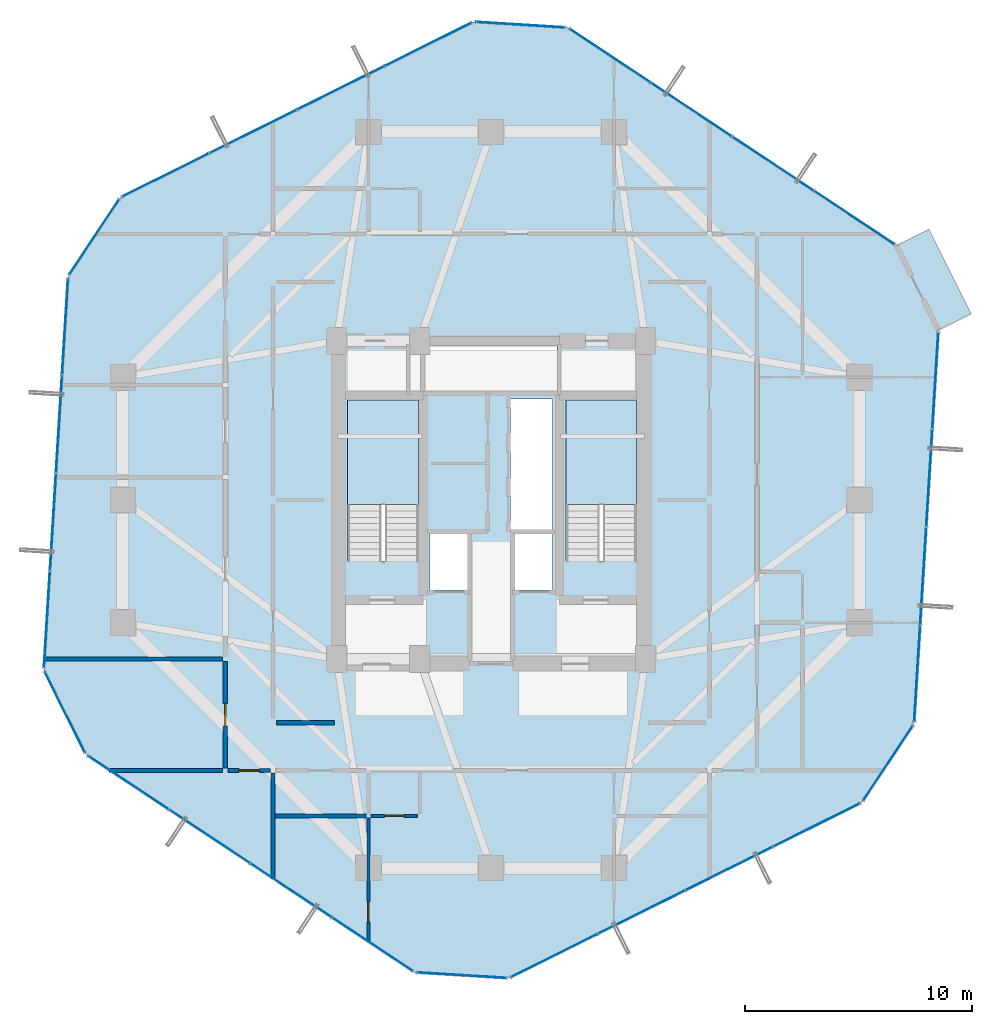
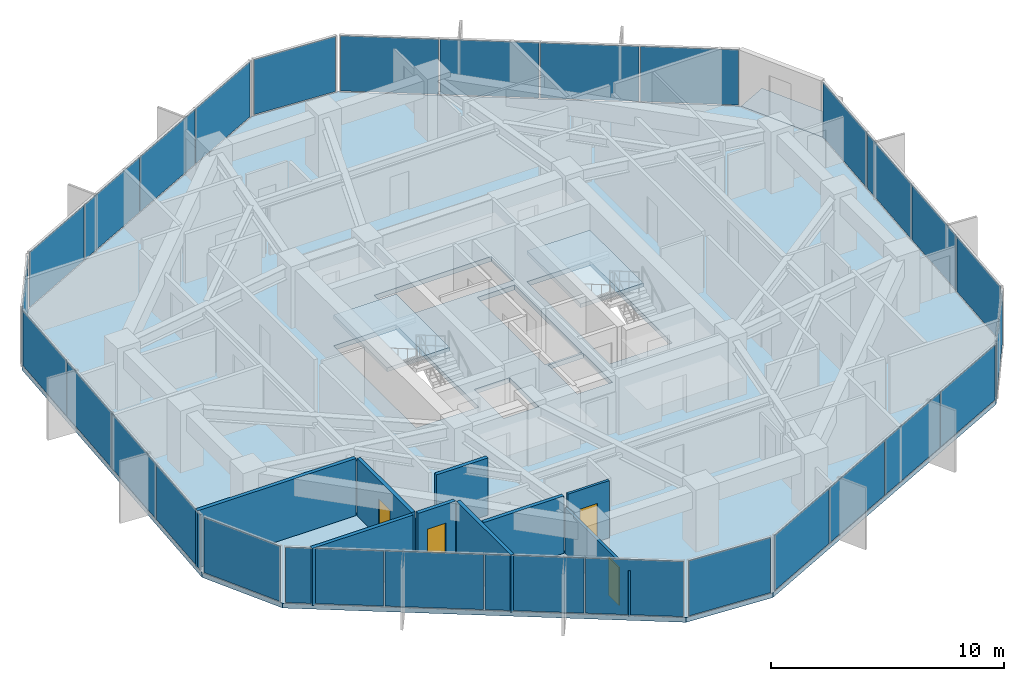
# One storey, part 25 of 30: 29 plates, 9 walls, 4 doors, 4 slabs, 4 openings, 13 elements without a shape of their own.
"""IFC4 building model written with IfcOpenShell, lengths in metres."""

from ifc_helpers import new_model, si_unit, direction, frame, frame_2d, origin, origin_2d, place, context, subcontext, project, spatial, polyline, rectangle, outline, extrude, source, transform, mapped, material, layer, layer_set, type_object, element, fill, aggregate, save


model = new_model("IFC4")

# Units and contexts
model_context = context("Model", 3, precision=1e-05, world=origin(), true_north=direction((0.0, 1.0)))
body_context = subcontext(model_context, "Body", "Model", "MODEL_VIEW")
ifc_project = project(units=[si_unit("LENGTHUNIT", "METRE"), si_unit("AREAUNIT", "SQUARE_METRE"), si_unit("VOLUMEUNIT", "CUBIC_METRE"), si_unit("PLANEANGLEUNIT", "RADIAN"), si_unit("MASSUNIT", "GRAM", prefix="KILO")], contexts=[model_context])

# Site, building, storey
site_placement = place(None, origin())
site = spatial("IfcSite", under=ifc_project, at=site_placement, CompositionType="ELEMENT")
building_placement = place(site_placement, origin())
building = spatial("IfcBuilding", under=site, at=building_placement, Name="Veraguas Prism Commons", CompositionType="ELEMENT")
storey_placement = place(building_placement, frame((0.0, 0.0, 116.5)))
storey = spatial("IfcBuildingStorey", under=building, at=storey_placement, Name="L32", CompositionType="ELEMENT", Elevation=116.5)

# Stair, slab
ifc_material_1 = material(Name="Precast concrete C45/55", Category="concrete")
stair_type = type_object("IfcStairType", Name="Dogleg Core Stair 1480W 20R 05", PredefinedType="HALF_TURN_STAIR", material=ifc_material_1)
stair_1_placement = place(storey_placement, origin())
stair_1 = element("IfcStair", 1, at=stair_1_placement, inside=storey, type_object=stair_type, Name="Protected Exit Stair ST-01 L32", PredefinedType="HALF_TURN_STAIR")
ifc_layer_1 = layer(ifc_material_1, 0.199951171875, Name="Precast Stair and Ramp Landing Slab 200", Category="concrete")
ifc_layer_set_1 = layer_set([ifc_layer_1], Name="Precast concrete C45/55")
slab_type_1 = type_object("IfcSlabType", Name="Precast Stair and Ramp Landing Slab 200", PredefinedType="LANDING", material=ifc_layer_set_1)
slab_1_placement = place(storey_placement, frame((0.0, 0.0, 1.425048828125)))
slab_1 = element("IfcSlab", 2, at=slab_1_placement, type_object=slab_type_1, Name="ST-05 Landing 1", PredefinedType="LANDING", context=body_context, shape_type="SweptSolid", body=[
    extrude(outline(polyline([(20.800048828125, 23.800048828125), (20.800048828125, 28.39990234375), (17.68994140625, 28.39990234375), (17.68994140625, 23.800048828125), (20.800048828125, 23.800048828125)])), origin(), (0.0, 0.0, 1.0), 0.199951171875),
])
aggregate(stair_1, [slab_1])

stair_2_placement = place(storey_placement, origin())
stair_2 = element("IfcStair", 3, at=stair_2_placement, inside=storey, type_object=stair_type, Name="Protected Exit Stair ST-02 L32", PredefinedType="HALF_TURN_STAIR")
slab_2_placement = place(storey_placement, frame((0.0, 0.0, 1.425048828125)))
slab_2 = element("IfcSlab", 4, at=slab_2_placement, type_object=slab_type_1, Name="ST-05 Landing 1", PredefinedType="LANDING", context=body_context, shape_type="SweptSolid", body=[
    extrude(outline(polyline([(30.39990234375, 23.800048828125), (30.39990234375, 28.39990234375), (27.2900390625, 28.39990234375), (27.2900390625, 23.800048828125), (30.39990234375, 23.800048828125)])), origin(), (0.0, 0.0, 1.0), 0.199951171875),
])
aggregate(stair_2, [slab_2])

# Slabs
ifc_material_2 = material(Name="Concrete C45/55", Category="concrete")
ifc_layer_2 = layer(ifc_material_2, 0.219970703125, Name="Recessed Loggia and Terrace Slab RC 220", Category="concrete")
ifc_layer_set_2 = layer_set([ifc_layer_2], Name="Concrete C45/55")
slab_type_2 = type_object("IfcSlabType", Name="Recessed Loggia and Terrace Slab RC 220", PredefinedType="FLOOR", material=ifc_layer_set_2)
slab_3_placement = place(storey_placement, frame((0.0, 0.0, -0.219970703125)))
element("IfcSlab", 5, at=slab_3_placement, inside=storey, type_object=slab_type_2, Name="Recessed Corner Loggia L32-C1", PredefinedType="FLOOR", context=body_context, shape_type="SweptSolid", body=[
    extrude(outline(polyline([(43.663818359375, 31.46728515625), (45.114013671875, 32.189208984375), (43.263427734375, 35.9072265625), (41.813232421875, 35.185302734375), (43.663818359375, 31.46728515625)])), origin(), (0.0, 0.0, 1.0), 0.219970703125),
])
ifc_layer_3 = layer(ifc_material_2, 0.25, Name="Tower Lower Residential Floor Slab RC 250", Category="concrete")
ifc_layer_set_3 = layer_set([ifc_layer_3], Name="Concrete C45/55")
slab_type_3 = type_object("IfcSlabType", Name="Tower Lower Residential Floor Slab RC 250", PredefinedType="FLOOR", material=ifc_layer_set_3)
slab_4_placement = place(storey_placement, frame((0.0, 0.0, -0.25)))
element("IfcSlab", 6, at=slab_4_placement, inside=storey, type_object=slab_type_3, Name="Tower Floor Slab L32", PredefinedType="FLOOR", context=body_context, shape_type="SweptSolid", body=[
    extrude(outline(polyline([(43.681640625, 31.476318359375), (41.8310546875, 35.1943359375), (27.3662109375, 44.782958984375), (23.220947265625, 45.039306640625), (7.6845703125, 37.306640625), (5.389892578125, 33.84521484375), (4.318359375, 16.523681640625), (6.1689453125, 12.8056640625), (20.6337890625, 3.217041015625), (24.779052734375, 2.960693359375), (40.3154296875, 10.693359375), (42.610107421875, 14.15478515625), (43.681640625, 31.476318359375)]), holes=[polyline([(20.800048828125, 21.31005859375), (20.800048828125, 28.39990234375), (17.68994140625, 28.39990234375), (17.68994140625, 21.31005859375), (20.800048828125, 21.31005859375)]), polyline([(30.39990234375, 21.31005859375), (30.39990234375, 28.39990234375), (27.2900390625, 28.39990234375), (27.2900390625, 21.31005859375), (30.39990234375, 21.31005859375)]), polyline([(24.85009765625, 22.64990234375), (26.699951171875, 22.64990234375), (26.699951171875, 28.449951171875), (24.85009765625, 28.449951171875), (24.85009765625, 22.64990234375)]), polyline([(21.10009765625, 28.800048828125), (26.89990234375, 28.800048828125), (26.89990234375, 30.800048828125), (21.10009765625, 30.800048828125), (21.10009765625, 28.800048828125)]), polyline([(21.300048828125, 20.050048828125), (23.050048828125, 20.050048828125), (23.050048828125, 22.550048828125), (21.300048828125, 22.550048828125), (21.300048828125, 20.050048828125)]), polyline([(24.949951171875, 20.050048828125), (26.699951171875, 20.050048828125), (26.699951171875, 22.550048828125), (24.949951171875, 22.550048828125), (24.949951171875, 20.050048828125)])]), origin(), (0.0, 0.0, 1.0), 0.25),
])

# Curtain wall, plates
ifc_material_3 = material(Name="Anodised aluminium EN AW-6063 T6", Category="aluminium")
ifc_layer_4 = layer(ifc_material_3, 0.169921875, Name="Unitised Flush Curtain Wall Zone 2", Category="aluminium")
ifc_layer_set_4 = layer_set([ifc_layer_4], Name="Anodised aluminium EN AW-6063 T6")
curtain_wall_type = type_object("IfcCurtainWallType", Name="Unitised Flush Curtain Wall Zone 2", PredefinedType="NOTDEFINED", material=ifc_layer_set_4)
curtain_wall_1_placement = place(storey_placement, origin())
curtain_wall_1 = element("IfcCurtainWall", 7, at=curtain_wall_1_placement, inside=storey, type_object=curtain_wall_type, Name="Tower Facade Curtain Wall L32-F1", PredefinedType="NOTDEFINED")
ifc_material_4 = material(Name="Laminated low-e glass", Category="glass")
ifc_layer_5 = layer(ifc_material_4, 0.028076171875, Name="Unitised Double Low-E Glazed Panel 28", Category="glass")
ifc_layer_set_5 = layer_set([ifc_layer_5], Name="Laminated low-e glass")
plate_type = type_object("IfcPlateType", Name="Unitised Double Low-E Glazed Panel 28", PredefinedType="CURTAIN_PANEL", material=ifc_layer_set_5)
shared_shape_1 = source(origin(), body_context, "Body", "SweptSolid", [
    extrude(rectangle(XDim=4.218505859375, YDim=0.028076171875, at=origin_2d()), origin(), (0.0, 0.0, 1.0), 2.889892578125),
])
plate_1_placement = place(storey_placement, frame((39.972900390625, 36.426025390625, 0.05517578125), z_axis=(0.0, 0.0, 1.0), x_axis=(-0.833504151469, 0.552513193945, 0.0)))
plate_1 = element("IfcPlate", 8, at=plate_1_placement, type_object=plate_type, Name="CW-Z2 Panel 1.1", PredefinedType="CURTAIN_PANEL", context=body_context, shape_type="MappedRepresentation", body=[
    mapped(shared_shape_1, transform((0.0, 0.0, 0.0), scale=1.0)),
])
plate_2_placement = place(storey_placement, frame((29.224365234375, 43.551025390625, 0.05517578125), z_axis=(0.0, 0.0, 1.0), x_axis=(-0.833504151469, 0.552513193945, 0.0)))
plate_2 = element("IfcPlate", 9, at=plate_2_placement, type_object=plate_type, Name="CW-Z2 Panel 4.1", PredefinedType="CURTAIN_PANEL", context=body_context, shape_type="MappedRepresentation", body=[
    mapped(shared_shape_1, transform((0.0, 0.0, 0.0), scale=1.0)),
])

curtain_wall_2_placement = place(storey_placement, origin())
curtain_wall_2 = element("IfcCurtainWall", 10, at=curtain_wall_2_placement, inside=storey, type_object=curtain_wall_type, Name="Tower Facade Curtain Wall L32-F2", PredefinedType="NOTDEFINED")
plate_3_placement = place(storey_placement, frame((21.225341796875, 44.0458984375, 0.05517578125), z_axis=(0.0, 0.0, 1.0), x_axis=(-0.895244870652, -0.445574484875, 0.0)))
plate_3 = element("IfcPlate", 11, at=plate_3_placement, type_object=plate_type, Name="CW-Z2 Panel 1.1", PredefinedType="CURTAIN_PANEL", context=body_context, shape_type="MappedRepresentation", body=[
    mapped(shared_shape_1, transform((0.0, 0.0, 0.0), scale=1.0)),
])
plate_4_placement = place(storey_placement, frame((9.680419921875, 38.300048828125, 0.05517578125), z_axis=(0.0, 0.0, 1.0), x_axis=(-0.895244870652, -0.445574484875, 0.0)))
plate_4 = element("IfcPlate", 12, at=plate_4_placement, type_object=plate_type, Name="CW-Z2 Panel 4.1", PredefinedType="CURTAIN_PANEL", context=body_context, shape_type="MappedRepresentation", body=[
    mapped(shared_shape_1, transform((0.0, 0.0, 0.0), scale=1.0)),
])

curtain_wall_3_placement = place(storey_placement, origin())
curtain_wall_3 = element("IfcCurtainWall", 13, at=curtain_wall_3_placement, inside=storey, type_object=curtain_wall_type, Name="Tower Facade Curtain Wall L32-F3", PredefinedType="NOTDEFINED")
plate_5_placement = place(storey_placement, frame((5.252197265625, 31.6201171875, 0.05517578125), z_axis=(0.0, 0.0, 1.0), x_axis=(-0.061743612146, -0.99809204303, 0.0)))
plate_5 = element("IfcPlate", 14, at=plate_5_placement, type_object=plate_type, Name="CW-Z2 Panel 1.1", PredefinedType="CURTAIN_PANEL", context=body_context, shape_type="MappedRepresentation", body=[
    mapped(shared_shape_1, transform((0.0, 0.0, 0.0), scale=1.0)),
])
plate_6_placement = place(storey_placement, frame((4.4560546875, 18.748779296875, 0.05517578125), z_axis=(0.0, 0.0, 1.0), x_axis=(-0.061743612146, -0.99809204303, 0.0)))
plate_6 = element("IfcPlate", 15, at=plate_6_placement, type_object=plate_type, Name="CW-Z2 Panel 4.1", PredefinedType="CURTAIN_PANEL", context=body_context, shape_type="MappedRepresentation", body=[
    mapped(shared_shape_1, transform((0.0, 0.0, 0.0), scale=1.0)),
])

curtain_wall_4_placement = place(storey_placement, origin())
curtain_wall_4 = element("IfcCurtainWall", 16, at=curtain_wall_4_placement, inside=storey, type_object=curtain_wall_type, Name="Tower Facade Curtain Wall L32-F4", PredefinedType="NOTDEFINED")
plate_7_placement = place(storey_placement, frame((8.027099609375, 11.573974609375, 0.05517578125), z_axis=(0.0, 0.0, 1.0), x_axis=(0.833504151469, -0.552513193945, 0.0)))
plate_7 = element("IfcPlate", 17, at=plate_7_placement, type_object=plate_type, Name="CW-Z2 Panel 1.1", PredefinedType="CURTAIN_PANEL", context=body_context, shape_type="MappedRepresentation", body=[
    mapped(shared_shape_1, transform((0.0, 0.0, 0.0), scale=1.0)),
])
plate_8_placement = place(storey_placement, frame((18.775634765625, 4.448974609375, 0.05517578125), z_axis=(0.0, 0.0, 1.0), x_axis=(0.833504151469, -0.552513193945, 0.0)))
plate_8 = element("IfcPlate", 18, at=plate_8_placement, type_object=plate_type, Name="CW-Z2 Panel 4.1", PredefinedType="CURTAIN_PANEL", context=body_context, shape_type="MappedRepresentation", body=[
    mapped(shared_shape_1, transform((0.0, 0.0, 0.0), scale=1.0)),
])

curtain_wall_5_placement = place(storey_placement, origin())
curtain_wall_5 = element("IfcCurtainWall", 19, at=curtain_wall_5_placement, inside=storey, type_object=curtain_wall_type, Name="Tower Facade Curtain Wall L32-F5", PredefinedType="NOTDEFINED")
plate_9_placement = place(storey_placement, frame((26.774658203125, 3.9541015625, 0.05517578125), z_axis=(0.0, 0.0, 1.0), x_axis=(0.895244870652, 0.445574484875, 0.0)))
plate_9 = element("IfcPlate", 20, at=plate_9_placement, type_object=plate_type, Name="CW-Z2 Panel 1.1", PredefinedType="CURTAIN_PANEL", context=body_context, shape_type="MappedRepresentation", body=[
    mapped(shared_shape_1, transform((0.0, 0.0, 0.0), scale=1.0)),
])
plate_10_placement = place(storey_placement, frame((38.319580078125, 9.699951171875, 0.05517578125), z_axis=(0.0, 0.0, 1.0), x_axis=(0.895244870652, 0.445574484875, 0.0)))
plate_10 = element("IfcPlate", 21, at=plate_10_placement, type_object=plate_type, Name="CW-Z2 Panel 4.1", PredefinedType="CURTAIN_PANEL", context=body_context, shape_type="MappedRepresentation", body=[
    mapped(shared_shape_1, transform((0.0, 0.0, 0.0), scale=1.0)),
])

curtain_wall_6_placement = place(storey_placement, origin())
curtain_wall_6 = element("IfcCurtainWall", 22, at=curtain_wall_6_placement, inside=storey, type_object=curtain_wall_type, Name="Tower Facade Curtain Wall L32-F6", PredefinedType="NOTDEFINED")
plate_11_placement = place(storey_placement, frame((42.747802734375, 16.3798828125, 0.05517578125), z_axis=(0.0, 0.0, 1.0), x_axis=(0.061743612146, 0.99809204303, 0.0)))
plate_11 = element("IfcPlate", 23, at=plate_11_placement, type_object=plate_type, Name="CW-Z2 Panel 1.1", PredefinedType="CURTAIN_PANEL", context=body_context, shape_type="MappedRepresentation", body=[
    mapped(shared_shape_1, transform((0.0, 0.0, 0.0), scale=1.0)),
])
plate_12_placement = place(storey_placement, frame((43.5439453125, 29.251220703125, 0.05517578125), z_axis=(0.0, 0.0, 1.0), x_axis=(0.061743612146, 0.99809204303, 0.0)))
plate_12 = element("IfcPlate", 24, at=plate_12_placement, type_object=plate_type, Name="CW-Z2 Panel 4.1", PredefinedType="CURTAIN_PANEL", context=body_context, shape_type="MappedRepresentation", body=[
    mapped(shared_shape_1, transform((0.0, 0.0, 0.0), scale=1.0)),
])

# Plate
shared_shape_2 = source(origin(), body_context, "Body", "SweptSolid", [
    extrude(rectangle(XDim=4.24853515625, YDim=0.028076171875, at=origin_2d()), origin(), (0.0, 0.0, 1.0), 2.889892578125),
])
plate_13_placement = place(storey_placement, frame((36.394287109375, 38.79833984375, 0.05517578125), z_axis=(0.0, 0.0, 1.0), x_axis=(-0.833504151469, 0.552513193945, 0.0)))
plate_13 = element("IfcPlate", 25, at=plate_13_placement, type_object=plate_type, Name="CW-Z2 Panel 2.1", PredefinedType="CURTAIN_PANEL", context=body_context, shape_type="MappedRepresentation", body=[
    mapped(shared_shape_2, transform((0.0, 0.0, 0.0), scale=1.0)),
])

plate_14_placement = place(storey_placement, frame((32.802978515625, 41.178955078125, 0.05517578125), z_axis=(0.0, 0.0, 1.0), x_axis=(-0.833504151469, 0.552513193945, 0.0)))
plate_14 = element("IfcPlate", 26, at=plate_14_placement, type_object=plate_type, Name="CW-Z2 Panel 3.1", PredefinedType="CURTAIN_PANEL", context=body_context, shape_type="MappedRepresentation", body=[
    mapped(shared_shape_2, transform((0.0, 0.0, 0.0), scale=1.0)),
])

aggregate(curtain_wall_1, [plate_1, plate_13, plate_14, plate_2])

plate_15_placement = place(storey_placement, frame((17.38134765625, 42.1328125, 0.05517578125), z_axis=(0.0, 0.0, 1.0), x_axis=(-0.895244870652, -0.445574484875, 0.0)))
plate_15 = element("IfcPlate", 27, at=plate_15_placement, type_object=plate_type, Name="CW-Z2 Panel 2.1", PredefinedType="CURTAIN_PANEL", context=body_context, shape_type="MappedRepresentation", body=[
    mapped(shared_shape_2, transform((0.0, 0.0, 0.0), scale=1.0)),
])

plate_16_placement = place(storey_placement, frame((13.524169921875, 40.213134765625, 0.05517578125), z_axis=(0.0, 0.0, 1.0), x_axis=(-0.895244870652, -0.445574484875, 0.0)))
plate_16 = element("IfcPlate", 28, at=plate_16_placement, type_object=plate_type, Name="CW-Z2 Panel 3.1", PredefinedType="CURTAIN_PANEL", context=body_context, shape_type="MappedRepresentation", body=[
    mapped(shared_shape_2, transform((0.0, 0.0, 0.0), scale=1.0)),
])

aggregate(curtain_wall_2, [plate_3, plate_15, plate_16, plate_4])

plate_17_placement = place(storey_placement, frame((4.987060546875, 27.334716796875, 0.05517578125), z_axis=(0.0, 0.0, 1.0), x_axis=(-0.061743612146, -0.99809204303, 0.0)))
plate_17 = element("IfcPlate", 29, at=plate_17_placement, type_object=plate_type, Name="CW-Z2 Panel 2.1", PredefinedType="CURTAIN_PANEL", context=body_context, shape_type="MappedRepresentation", body=[
    mapped(shared_shape_2, transform((0.0, 0.0, 0.0), scale=1.0)),
])

plate_18_placement = place(storey_placement, frame((4.72119140625, 23.0341796875, 0.05517578125), z_axis=(0.0, 0.0, 1.0), x_axis=(-0.061743612146, -0.99809204303, 0.0)))
plate_18 = element("IfcPlate", 30, at=plate_18_placement, type_object=plate_type, Name="CW-Z2 Panel 3.1", PredefinedType="CURTAIN_PANEL", context=body_context, shape_type="MappedRepresentation", body=[
    mapped(shared_shape_2, transform((0.0, 0.0, 0.0), scale=1.0)),
])

aggregate(curtain_wall_3, [plate_5, plate_17, plate_18, plate_6])

plate_19_placement = place(storey_placement, frame((11.605712890625, 9.20166015625, 0.05517578125), z_axis=(0.0, 0.0, 1.0), x_axis=(0.833504151469, -0.552513193945, 0.0)))
plate_19 = element("IfcPlate", 31, at=plate_19_placement, type_object=plate_type, Name="CW-Z2 Panel 2.1", PredefinedType="CURTAIN_PANEL", context=body_context, shape_type="MappedRepresentation", body=[
    mapped(shared_shape_2, transform((0.0, 0.0, 0.0), scale=1.0)),
])

plate_20_placement = place(storey_placement, frame((15.197021484375, 6.821044921875, 0.05517578125), z_axis=(0.0, 0.0, 1.0), x_axis=(0.833504151469, -0.552513193945, 0.0)))
plate_20 = element("IfcPlate", 32, at=plate_20_placement, type_object=plate_type, Name="CW-Z2 Panel 3.1", PredefinedType="CURTAIN_PANEL", context=body_context, shape_type="MappedRepresentation", body=[
    mapped(shared_shape_2, transform((0.0, 0.0, 0.0), scale=1.0)),
])

aggregate(curtain_wall_4, [plate_7, plate_19, plate_20, plate_8])

plate_21_placement = place(storey_placement, frame((30.61865234375, 5.8671875, 0.05517578125), z_axis=(0.0, 0.0, 1.0), x_axis=(0.895244870652, 0.445574484875, 0.0)))
plate_21 = element("IfcPlate", 33, at=plate_21_placement, type_object=plate_type, Name="CW-Z2 Panel 2.1", PredefinedType="CURTAIN_PANEL", context=body_context, shape_type="MappedRepresentation", body=[
    mapped(shared_shape_2, transform((0.0, 0.0, 0.0), scale=1.0)),
])

plate_22_placement = place(storey_placement, frame((34.475830078125, 7.786865234375, 0.05517578125), z_axis=(0.0, 0.0, 1.0), x_axis=(0.895244870652, 0.445574484875, 0.0)))
plate_22 = element("IfcPlate", 34, at=plate_22_placement, type_object=plate_type, Name="CW-Z2 Panel 3.1", PredefinedType="CURTAIN_PANEL", context=body_context, shape_type="MappedRepresentation", body=[
    mapped(shared_shape_2, transform((0.0, 0.0, 0.0), scale=1.0)),
])

aggregate(curtain_wall_5, [plate_9, plate_21, plate_22, plate_10])

plate_23_placement = place(storey_placement, frame((43.012939453125, 20.665283203125, 0.05517578125), z_axis=(0.0, 0.0, 1.0), x_axis=(0.061743612146, 0.99809204303, 0.0)))
plate_23 = element("IfcPlate", 35, at=plate_23_placement, type_object=plate_type, Name="CW-Z2 Panel 2.1", PredefinedType="CURTAIN_PANEL", context=body_context, shape_type="MappedRepresentation", body=[
    mapped(shared_shape_2, transform((0.0, 0.0, 0.0), scale=1.0)),
])

plate_24_placement = place(storey_placement, frame((43.27880859375, 24.9658203125, 0.05517578125), z_axis=(0.0, 0.0, 1.0), x_axis=(0.061743612146, 0.99809204303, 0.0)))
plate_24 = element("IfcPlate", 36, at=plate_24_placement, type_object=plate_type, Name="CW-Z2 Panel 3.1", PredefinedType="CURTAIN_PANEL", context=body_context, shape_type="MappedRepresentation", body=[
    mapped(shared_shape_2, transform((0.0, 0.0, 0.0), scale=1.0)),
])

aggregate(curtain_wall_6, [plate_11, plate_23, plate_24, plate_12])

# Curtain wall, plate
curtain_wall_7_placement = place(storey_placement, origin())
curtain_wall_7 = element("IfcCurtainWall", 37, at=curtain_wall_7_placement, inside=storey, type_object=curtain_wall_type, Name="Chamfer Curtain Wall L32-C2", PredefinedType="NOTDEFINED")
shared_shape_3 = source(origin(), body_context, "Body", "SweptSolid", [
    extrude(rectangle(XDim=3.9130859375, YDim=0.028076171875, at=origin_2d()), origin(), (0.0, 0.0, 1.0), 2.889892578125),
])
plate_25_placement = place(storey_placement, frame((25.293701171875, 44.9111328125, 0.05517578125), z_axis=(0.0, 0.0, 1.0), x_axis=(-0.998092366305, 0.061738386148, 0.0)))
plate_25 = element("IfcPlate", 38, at=plate_25_placement, type_object=plate_type, Name="CW-Z2 Panel 1.1", PredefinedType="CURTAIN_PANEL", context=body_context, shape_type="MappedRepresentation", body=[
    mapped(shared_shape_3, transform((0.0, 0.0, 0.0), scale=1.0)),
])
aggregate(curtain_wall_7, [plate_25])

curtain_wall_8_placement = place(storey_placement, origin())
curtain_wall_8 = element("IfcCurtainWall", 39, at=curtain_wall_8_placement, inside=storey, type_object=curtain_wall_type, Name="Chamfer Curtain Wall L32-C3", PredefinedType="NOTDEFINED")
plate_26_placement = place(storey_placement, frame((6.537353515625, 35.575927734375, 0.05517578125), z_axis=(0.0, 0.0, 1.0), x_axis=(-0.552507374975, -0.833508008719, 0.0)))
plate_26 = element("IfcPlate", 40, at=plate_26_placement, type_object=plate_type, Name="CW-Z2 Panel 1.1", PredefinedType="CURTAIN_PANEL", context=body_context, shape_type="MappedRepresentation", body=[
    mapped(shared_shape_3, transform((0.0, 0.0, 0.0), scale=1.0)),
])
aggregate(curtain_wall_8, [plate_26])

curtain_wall_9_placement = place(storey_placement, origin())
curtain_wall_9 = element("IfcCurtainWall", 41, at=curtain_wall_9_placement, inside=storey, type_object=curtain_wall_type, Name="Chamfer Curtain Wall L32-C4", PredefinedType="NOTDEFINED")
plate_27_placement = place(storey_placement, frame((5.24365234375, 14.664794921875, 0.05517578125), z_axis=(0.0, 0.0, 1.0), x_axis=(0.445576047371, -0.895244092976, 0.0)))
plate_27 = element("IfcPlate", 42, at=plate_27_placement, type_object=plate_type, Name="CW-Z2 Panel 1.1", PredefinedType="CURTAIN_PANEL", context=body_context, shape_type="MappedRepresentation", body=[
    mapped(shared_shape_3, transform((0.0, 0.0, 0.0), scale=1.0)),
])
aggregate(curtain_wall_9, [plate_27])

curtain_wall_10_placement = place(storey_placement, origin())
curtain_wall_10 = element("IfcCurtainWall", 43, at=curtain_wall_10_placement, inside=storey, type_object=curtain_wall_type, Name="Chamfer Curtain Wall L32-C5", PredefinedType="NOTDEFINED")
plate_28_placement = place(storey_placement, frame((22.706298828125, 3.0888671875, 0.05517578125), z_axis=(0.0, 0.0, 1.0), x_axis=(0.998092366305, -0.061738386148, 0.0)))
plate_28 = element("IfcPlate", 44, at=plate_28_placement, type_object=plate_type, Name="CW-Z2 Panel 1.1", PredefinedType="CURTAIN_PANEL", context=body_context, shape_type="MappedRepresentation", body=[
    mapped(shared_shape_3, transform((0.0, 0.0, 0.0), scale=1.0)),
])
aggregate(curtain_wall_10, [plate_28])

curtain_wall_11_placement = place(storey_placement, origin())
curtain_wall_11 = element("IfcCurtainWall", 45, at=curtain_wall_11_placement, inside=storey, type_object=curtain_wall_type, Name="Chamfer Curtain Wall L32-C6", PredefinedType="NOTDEFINED")
plate_29_placement = place(storey_placement, frame((41.462646484375, 12.424072265625, 0.05517578125), z_axis=(0.0, 0.0, 1.0), x_axis=(0.552507374975, 0.833508008719, 0.0)))
plate_29 = element("IfcPlate", 46, at=plate_29_placement, type_object=plate_type, Name="CW-Z2 Panel 1.1", PredefinedType="CURTAIN_PANEL", context=body_context, shape_type="MappedRepresentation", body=[
    mapped(shared_shape_3, transform((0.0, 0.0, 0.0), scale=1.0)),
])
aggregate(curtain_wall_11, [plate_29])

# Walls
ifc_material_5 = material(Name="Autoclaved aerated masonry block 10 MPa", Category="masonry")
ifc_layer_6 = layer(ifc_material_5, 0.179931640625, Name="Corridor and Inter-Tenancy Partition 180", Category="masonry")
ifc_layer_set_6 = layer_set([ifc_layer_6], Name="Autoclaved aerated masonry block 10 MPa")
wall_type_1 = type_object("IfcWallType", Name="Corridor and Inter-Tenancy Partition 180", PredefinedType="PARTITIONING", material=ifc_layer_set_6)
wall_1_placement = place(storey_placement, frame((14.550048828125, 14.199951171875, 0.0), z_axis=(0.0, 0.0, 1.0), x_axis=(1.0, 0.0, 0.0)))
element("IfcWall", 47, at=wall_1_placement, inside=storey, type_object=wall_type_1, Name="WL-L32-IRWS", PredefinedType="PARTITIONING", context=body_context, shape_type="SweptSolid", body=[
    extrude(rectangle(XDim=2.550048828125, YDim=0.179931640625, at=frame_2d((1.27490234375, 0.0))), origin(), (0.0, 0.0, 1.0), 3.0),
])
wall_2_placement = place(storey_placement, frame((14.39990234375, 11.97998046875, 0.0), z_axis=(0.0, 0.0, 1.0), x_axis=(0.0, -1.0, 0.0)))
element("IfcWall", 48, at=wall_2_placement, inside=storey, type_object=wall_type_1, Name="WL-L32-PT001", PredefinedType="PARTITIONING", context=body_context, shape_type="SweptSolid", body=[
    extrude(rectangle(XDim=4.66650390625, YDim=0.179931640625, at=frame_2d((2.333251953125, 0.0))), origin(), (0.0, 0.0, 1.0), 3.0),
])
wall_3_placement = place(storey_placement, frame((14.52001953125, 10.10009765625, 0.0), z_axis=(0.0, 0.0, 1.0), x_axis=(1.0, 0.0, 0.0)))
element("IfcWall", 49, at=wall_3_placement, inside=storey, type_object=wall_type_1, Name="WL-L32-PT005", PredefinedType="PARTITIONING", context=body_context, shape_type="SweptSolid", body=[
    extrude(rectangle(XDim=3.97998046875, YDim=0.179931640625, at=frame_2d((1.989990234375, 0.0))), origin(), (0.0, 0.0, 1.0), 3.0),
])
wall_4_placement = place(storey_placement, frame((12.179931640625, 12.10009765625, 0.0), z_axis=(0.0, 0.0, 1.0), x_axis=(-1.0, 0.0, 0.0)))
element("IfcWall", 50, at=wall_4_placement, inside=storey, type_object=wall_type_1, Name="WL-L32-PT025", PredefinedType="PARTITIONING", context=body_context, shape_type="SweptSolid", body=[
    extrude(rectangle(XDim=5.000732421875, YDim=0.179931640625, at=frame_2d((2.50048828125, 0.0))), origin(), (0.0, 0.0, 1.0), 3.0),
])

# Wall, opening, door
wall_5_placement = place(storey_placement, frame((12.300048828125, 12.2099609375, 0.0), z_axis=(0.0, 0.0, 1.0), x_axis=(0.0, 1.0, 0.0)))
wall_5 = element("IfcWall", 51, at=wall_5_placement, inside=storey, type_object=wall_type_1, Name="WL-L32-PT027", PredefinedType="PARTITIONING", context=body_context, shape_type="SweptSolid", body=[
    extrude(rectangle(XDim=4.68310546875, YDim=0.179931640625, at=frame_2d((2.341552734375, 0.0))), origin(), (0.0, 0.0, 1.0), 3.0),
])
opening_1_placement = place(wall_5_placement, frame((1.841552734375, 0.0, 0.0)))
opening_1 = element("IfcOpeningElement", 52, at=opening_1_placement, cuts=wall_5, Name="Opening DR-13", PredefinedType="OPENING", context=body_context, shape_type="SweptSolid", body=[
    extrude(rectangle(XDim=1.0, YDim=2.010009765625, at=frame_2d((0.5, 1.0048828125))), frame((0.0, 0.099853515625, 0.0), z_axis=(0.0, -1.0, 0.0), x_axis=(1.0, 0.0, 0.0)), (0.0, 0.0, 1.0), 0.199951171875),
])
ifc_material_6 = material(Name="Steel fire-rated door assembly", Category="steel")
door_type_1 = type_object("IfcDoorType", Name="Core Accessible WC and Clinic Fire Door 1000x2010", OperationType="NOTDEFINED", PredefinedType="DOOR", material=ifc_material_6)
shared_shape_4 = source(origin(), body_context, "Body", "SweptSolid", [
    extrude(rectangle(XDim=1.0, YDim=2.010009765625, at=frame_2d((0.5, 1.0048828125))), frame((0.0, 0.02490234375, 0.0), z_axis=(0.0, -1.0, 0.0), x_axis=(1.0, 0.0, 0.0)), (0.0, 0.0, 1.0), 0.050048828125),
])
door_1_placement = place(opening_1_placement, origin())
door_1 = element("IfcDoor", 53, at=door_1_placement, inside=storey, type_object=door_type_1, Name="Residents Study Room Door", OperationType="SINGLE_SWING_LEFT", OverallHeight=2.010009765625, OverallWidth=1.0, PredefinedType="DOOR", context=body_context, shape_type="MappedRepresentation", body=[
    mapped(shared_shape_4, transform((0.0, 0.0, 0.0), scale=1.0)),
])
fill(opening_1, door_1)

# Wall
wall_6_placement = place(storey_placement, frame((12.179931640625, 17.0029296875, 0.0), z_axis=(0.0, 0.0, 1.0), x_axis=(-1.0, 0.0, 0.0)))
element("IfcWall", 54, at=wall_6_placement, inside=storey, type_object=wall_type_1, Name="WL-L32-PT029", PredefinedType="PARTITIONING", context=body_context, shape_type="SweptSolid", body=[
    extrude(rectangle(XDim=7.86181640625, YDim=0.179931640625, at=frame_2d((3.930908203125, 0.0))), origin(), (0.0, 0.0, 1.0), 3.0),
])

# Wall, opening, door
wall_7_placement = place(storey_placement, frame((12.419921875, 12.10009765625, 0.0), z_axis=(0.0, 0.0, 1.0), x_axis=(1.0, 0.0, 0.0)))
wall_7 = element("IfcWall", 55, at=wall_7_placement, inside=storey, type_object=wall_type_1, Name="WL-L32-PT046", PredefinedType="PARTITIONING", context=body_context, shape_type="SweptSolid", body=[
    extrude(rectangle(XDim=1.860107421875, YDim=0.179931640625, at=frame_2d((0.93017578125, 0.0))), origin(), (0.0, 0.0, 1.0), 3.0),
])
opening_2_placement = place(wall_7_placement, frame((0.47998046875, 0.0, 0.0)))
opening_2 = element("IfcOpeningElement", 56, at=opening_2_placement, cuts=wall_7, Name="Opening DR-14", PredefinedType="OPENING", context=body_context, shape_type="SweptSolid", body=[
    extrude(rectangle(XDim=0.89990234375, YDim=2.010009765625, at=frame_2d((0.449951171875, 1.0048828125))), frame((0.0, 0.099853515625, 0.0), z_axis=(0.0, -1.0, 0.0), x_axis=(1.0, 0.0, 0.0)), (0.0, 0.0, 1.0), 0.199951171875),
])
door_type_2 = type_object("IfcDoorType", Name="Core Service Room Fire Door 900x2010", OperationType="NOTDEFINED", PredefinedType="DOOR", material=ifc_material_6)
shared_shape_5 = source(origin(), body_context, "Body", "SweptSolid", [
    extrude(rectangle(XDim=0.89990234375, YDim=2.010009765625, at=frame_2d((0.449951171875, 1.0048828125))), frame((0.0, 0.02490234375, 0.0), z_axis=(0.0, -1.0, 0.0), x_axis=(1.0, 0.0, 0.0)), (0.0, 0.0, 1.0), 0.050048828125),
])
door_2_placement = place(opening_2_placement, origin())
door_2 = element("IfcDoor", 57, at=door_2_placement, inside=storey, type_object=door_type_2, Name="Community Co-op Kitchen SW Door", OperationType="SINGLE_SWING_LEFT", OverallHeight=2.010009765625, OverallWidth=0.89990234375, PredefinedType="DOOR", context=body_context, shape_type="MappedRepresentation", body=[
    mapped(shared_shape_5, transform((0.0, 0.0, 0.0), scale=1.0)),
])
fill(opening_2, door_2)

ifc_material_7 = material(Name="Lightweight acoustic gypsum board")
ifc_layer_7 = layer(ifc_material_7, 0.125, Name="Internal Apartment Room Partition 125")
ifc_layer_set_7 = layer_set([ifc_layer_7], Name="Lightweight acoustic gypsum board")
wall_type_2 = type_object("IfcWallType", Name="Internal Apartment Room Partition 125", PredefinedType="PARTITIONING", material=ifc_layer_set_7)
wall_8_placement = place(storey_placement, frame((18.60009765625, 10.0, 0.0), z_axis=(0.0, 0.0, 1.0), x_axis=(0.0, -1.0, 0.0)))
wall_8 = element("IfcWall", 58, at=wall_8_placement, inside=storey, type_object=wall_type_2, Name="WL-L32-PT007", PredefinedType="PARTITIONING", context=body_context, shape_type="SweptSolid", body=[
    extrude(rectangle(XDim=5.470703125, YDim=0.125, at=frame_2d((2.7353515625, 0.0))), origin(), (0.0, 0.0, 1.0), 2.3779296875),
])
opening_3_placement = place(wall_8_placement, frame((3.675537109375, 0.0, 0.0)))
opening_3 = element("IfcOpeningElement", 59, at=opening_3_placement, cuts=wall_8, Name="Opening DR-02", PredefinedType="OPENING", context=body_context, shape_type="SweptSolid", body=[
    extrude(rectangle(XDim=0.89990234375, YDim=2.010009765625, at=frame_2d((0.449951171875, 1.0048828125))), frame((0.0, 0.072509765625, 0.0), z_axis=(0.0, -1.0, 0.0), x_axis=(1.0, 0.0, 0.0)), (0.0, 0.0, 1.0), 0.14501953125),
])
ifc_material_8 = material(Name="Timber solid core hardwood", Category="wood")
door_type_3 = type_object("IfcDoorType", Name="Internal Habitable Room Door 900x2010", OperationType="NOTDEFINED", PredefinedType="DOOR", material=ifc_material_8)
door_3_placement = place(opening_3_placement, origin())
door_3 = element("IfcDoor", 60, at=door_3_placement, inside=storey, type_object=door_type_3, Name="Flat 32A Bedroom 2 Door", OperationType="SINGLE_SWING_LEFT", OverallHeight=2.010009765625, OverallWidth=0.89990234375, PredefinedType="DOOR", context=body_context, shape_type="MappedRepresentation", body=[
    mapped(shared_shape_5, transform((0.0, 0.0, 0.0), scale=1.0)),
])
fill(opening_3, door_3)

wall_9_placement = place(storey_placement, frame((18.719970703125, 10.10009765625, 0.0), z_axis=(0.0, 0.0, 1.0), x_axis=(1.0, 0.0, 0.0)))
wall_9 = element("IfcWall", 61, at=wall_9_placement, inside=storey, type_object=wall_type_2, Name="WL-L32-PT009", PredefinedType="PARTITIONING", context=body_context, shape_type="SweptSolid", body=[
    extrude(rectangle(XDim=2.050048828125, YDim=0.125, at=frame_2d((1.02490234375, 0.0))), origin(), (0.0, 0.0, 1.0), 3.0),
])
opening_4_placement = place(wall_9_placement, frame((0.594970703125, 0.0, 0.0)))
opening_4 = element("IfcOpeningElement", 62, at=opening_4_placement, cuts=wall_9, Name="Opening DR-03", PredefinedType="OPENING", context=body_context, shape_type="SweptSolid", body=[
    extrude(rectangle(XDim=0.860107421875, YDim=2.010009765625, at=frame_2d((0.43017578125, 1.0048828125))), frame((0.0, 0.072509765625, 0.0), z_axis=(0.0, -1.0, 0.0), x_axis=(1.0, 0.0, 0.0)), (0.0, 0.0, 1.0), 0.14501953125),
])
ifc_material_9 = material(Name="Timber moisture-resistant leaf", Category="wood")
door_type_4 = type_object("IfcDoorType", Name="Internal Bathroom Door 860x2010", OperationType="NOTDEFINED", PredefinedType="DOOR", material=ifc_material_9)
shared_shape_6 = source(origin(), body_context, "Body", "SweptSolid", [
    extrude(rectangle(XDim=0.860107421875, YDim=2.010009765625, at=frame_2d((0.43017578125, 1.0048828125))), frame((0.0, 0.02490234375, 0.0), z_axis=(0.0, -1.0, 0.0), x_axis=(1.0, 0.0, 0.0)), (0.0, 0.0, 1.0), 0.050048828125),
])
door_4_placement = place(opening_4_placement, origin())
door_4 = element("IfcDoor", 63, at=door_4_placement, inside=storey, type_object=door_type_4, Name="Flat 32A Bathroom Door", OperationType="SINGLE_SWING_RIGHT", OverallHeight=2.010009765625, OverallWidth=0.860107421875, PredefinedType="DOOR", context=body_context, shape_type="MappedRepresentation", body=[
    mapped(shared_shape_6, transform((0.0, 0.0, 0.0), scale=1.0)),
])
fill(opening_4, door_4)

save(model, "model.ifc")
